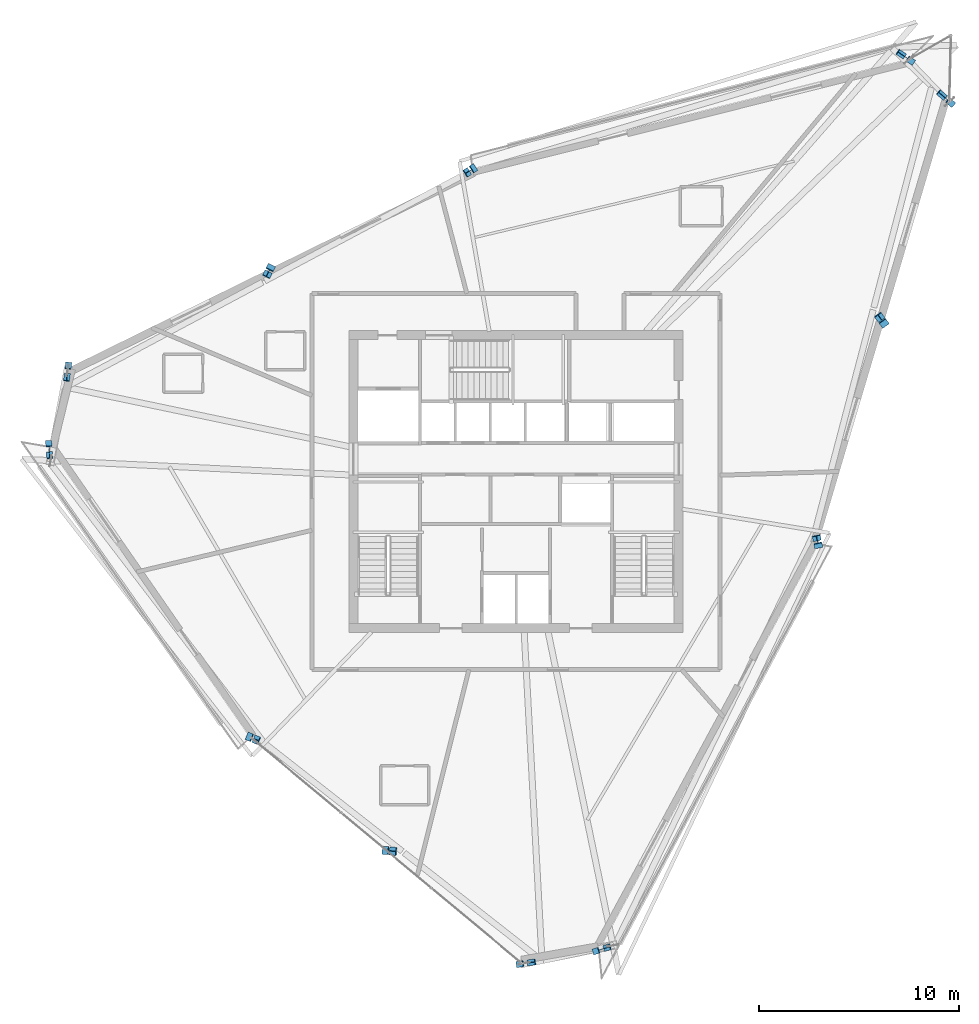
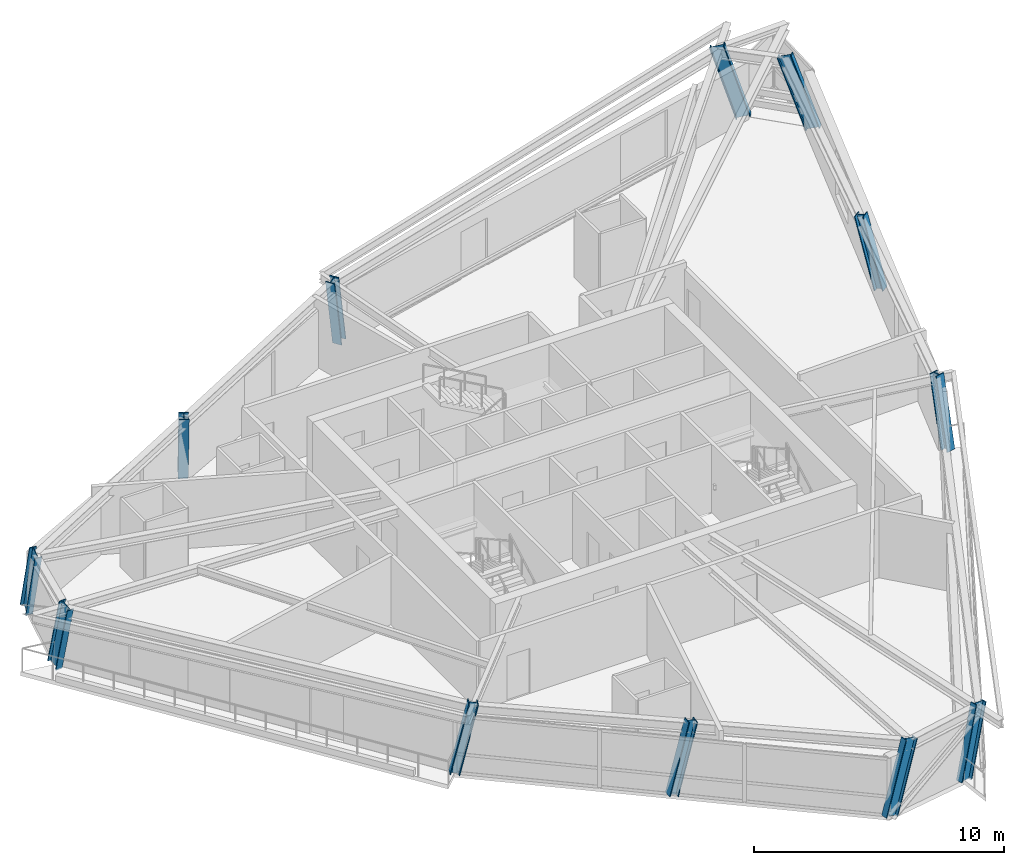
# One storey, part 1 of 14: 12 columns.
"""IFC4 building model written with IfcOpenShell, lengths in metres."""

from ifc_helpers import new_model, si_unit, direction, frame, origin, origin_2d, place, context, subcontext, project, spatial, i_section, extrude, source, transform, mapped, material, material_profile, profile_set, type_object, element, save


model = new_model("IFC4")

# Units and contexts
model_context = context("Model", 3, precision=1e-05, world=origin(), true_north=direction((0.0, 1.0)))
body_context = subcontext(model_context, "Body", "Model", "MODEL_VIEW")
ifc_project = project(units=[si_unit("LENGTHUNIT", "METRE"), si_unit("AREAUNIT", "SQUARE_METRE"), si_unit("VOLUMEUNIT", "CUBIC_METRE"), si_unit("PLANEANGLEUNIT", "RADIAN"), si_unit("MASSUNIT", "GRAM", prefix="KILO")], contexts=[model_context])

# Site, building, storey
site_placement = place(None, origin())
site = spatial("IfcSite", under=ifc_project, at=site_placement, CompositionType="ELEMENT")
building_placement = place(site_placement, origin())
building = spatial("IfcBuilding", under=site, at=building_placement, Name="Olszyna Solenne Hotel", CompositionType="ELEMENT")
storey_placement = place(building_placement, frame((0.0, 0.0, 220.25)))
storey = spatial("IfcBuildingStorey", under=building, at=storey_placement, Name="L58", CompositionType="ELEMENT", Elevation=220.25)

# Columns
ifc_material = material(Name="Steel S460M", Category="steel")
ifc_material_profile_1 = material_profile(ifc_material, i_section(OverallWidth=0.304931640625, OverallDepth=0.6201171875, WebThickness=0.02099609375, FlangeThickness=0.0400390625, at=origin_2d()), Name="HEM 600", Category="load-bearing")
ifc_profile_set_1 = profile_set([ifc_material_profile_1], Name="Steel S460M")
column_type_1 = type_object("IfcColumnType", Name="COL-K3", PredefinedType="COLUMN", material=ifc_profile_set_1)
shared_shape_1 = source(origin(), body_context, "Body", "SweptSolid", [
    extrude(i_section(OverallWidth=0.304931640625, OverallDepth=0.6201171875, WebThickness=0.02099609375, FlangeThickness=0.0400390625, at=origin_2d()), origin(), (0.0, 0.0, 1.0), 3.578857421875),
])
column_1_placement = place(storey_placement, frame((59.65576171875, 45.597900390625, 0.0), z_axis=(-0.245246591305, 0.2126380042, 0.94585368246), x_axis=(-0.65509054937, -0.755550376961, 0.0)))
element("IfcColumn", 1, at=column_1_placement, inside=storey, type_object=column_type_1, Name="Perimeter framed-tube column COL-K3 C-L58-01", PredefinedType="COLUMN", context=body_context, shape_type="MappedRepresentation", body=[
    mapped(shared_shape_1, transform((0.0, 0.0, 0.0), x_axis=(1.0, 0.0, 0.0), y_axis=(0.0, 1.0, 0.0), z_axis=(0.0, 0.0, 1.0), scale=1.0)),
])
shared_shape_2 = source(origin(), body_context, "Body", "SweptSolid", [
    extrude(i_section(OverallWidth=0.304931640625, OverallDepth=0.6201171875, WebThickness=0.02099609375, FlangeThickness=0.0400390625, at=origin_2d()), origin(), (0.0, 0.0, 1.0), 3.547607421875),
])
column_2_placement = place(storey_placement, frame((57.64111328125, 47.69482421875, 0.0), z_axis=(-0.246375224897, 0.169778681514, 0.954187847261), x_axis=(-0.567426549776, -0.823424016294, 0.0)))
element("IfcColumn", 2, at=column_2_placement, inside=storey, type_object=column_type_1, Name="Perimeter framed-tube column COL-K3 C-L58-02", PredefinedType="COLUMN", context=body_context, shape_type="MappedRepresentation", body=[
    mapped(shared_shape_2, transform((0.0, 0.0, 0.0), x_axis=(1.0, 0.0, 0.0), y_axis=(0.0, 1.0, 0.0), z_axis=(0.0, 0.0, 1.0), scale=1.0)),
])
ifc_material_profile_2 = material_profile(ifc_material, i_section(OverallWidth=0.406005859375, OverallDepth=0.416015625, WebThickness=0.026611328125, FlangeThickness=0.04150390625, at=origin_2d()), Name="HD 400x382", Category="load-bearing")
ifc_profile_set_2 = profile_set([ifc_material_profile_2], Name="Steel S460M")
column_type_2 = type_object("IfcColumnType", Name="COL-T4", PredefinedType="COLUMN", material=ifc_profile_set_2)
shared_shape_3 = source(origin(), body_context, "Body", "SweptSolid", [
    extrude(i_section(OverallWidth=0.406005859375, OverallDepth=0.416015625, WebThickness=0.026611328125, FlangeThickness=0.04150390625, at=origin_2d()), origin(), (0.0, 0.0, 1.0), 3.44287109375),
])
column_3_placement = place(storey_placement, frame((35.806884765625, 42.21630859375, 0.0), z_axis=(-0.152464136085, -0.100200848506, 0.983216393866), x_axis=(0.549216666266, -0.835679994672, 0.0)))
element("IfcColumn", 3, at=column_3_placement, inside=storey, type_object=column_type_2, Name="Perimeter framed-tube column COL-T4 C-L58-03", PredefinedType="COLUMN", context=body_context, shape_type="MappedRepresentation", body=[
    mapped(shared_shape_3, transform((0.0, 0.0, 0.0), x_axis=(1.0, 0.0, 0.0), y_axis=(0.0, 1.0, 0.0), z_axis=(0.0, 0.0, 1.0), scale=1.0)),
])
shared_shape_4 = source(origin(), body_context, "Body", "SweptSolid", [
    extrude(i_section(OverallWidth=0.406005859375, OverallDepth=0.416015625, WebThickness=0.026611328125, FlangeThickness=0.04150390625, at=origin_2d()), origin(), (0.0, 0.0, 1.0), 3.461181640625),
])
column_4_placement = place(storey_placement, frame((25.709716796875, 37.2431640625, 0.0), z_axis=(-0.093250881233, -0.186572300198, 0.978005649241), x_axis=(0.89449481743, -0.447078317067, 0.0)))
element("IfcColumn", 4, at=column_4_placement, inside=storey, type_object=column_type_2, Name="Perimeter framed-tube column COL-T4 C-L58-04", PredefinedType="COLUMN", context=body_context, shape_type="MappedRepresentation", body=[
    mapped(shared_shape_4, transform((0.0, 0.0, 0.0), x_axis=(1.0, 0.0, 0.0), y_axis=(0.0, 1.0, 0.0), z_axis=(0.0, 0.0, 1.0), scale=1.0)),
])
shared_shape_5 = source(origin(), body_context, "Body", "SweptSolid", [
    extrude(i_section(OverallWidth=0.304931640625, OverallDepth=0.6201171875, WebThickness=0.02099609375, FlangeThickness=0.0400390625, at=origin_2d()), origin(), (0.0, 0.0, 1.0), 3.516845703125),
])
column_5_placement = place(storey_placement, frame((15.6123046875, 32.27001953125, 0.0), z_axis=(-0.034293514834, -0.269072193314, 0.962509277683), x_axis=(0.991975750475, -0.126428281923, 0.0)))
element("IfcColumn", 5, at=column_5_placement, inside=storey, type_object=column_type_1, Name="Perimeter framed-tube column COL-K3 C-L58-05", PredefinedType="COLUMN", context=body_context, shape_type="MappedRepresentation", body=[
    mapped(shared_shape_5, transform((0.0, 0.0, 0.0), x_axis=(1.0, 0.0, 0.0), y_axis=(0.0, 1.0, 0.0), z_axis=(0.0, 0.0, 1.0), scale=1.0)),
])
shared_shape_6 = source(origin(), body_context, "Body", "SweptSolid", [
    extrude(i_section(OverallWidth=0.304931640625, OverallDepth=0.6201171875, WebThickness=0.02099609375, FlangeThickness=0.0400390625, at=origin_2d()), origin(), (0.0, 0.0, 1.0), 3.484375),
])
column_6_placement = place(storey_placement, frame((14.657958984375, 28.3544921875, 0.0), z_axis=(0.017867277816, -0.236408609218, 0.971489438888), x_axis=(0.997156164078, 0.075363017736, 0.0)))
element("IfcColumn", 6, at=column_6_placement, inside=storey, type_object=column_type_1, Name="Perimeter framed-tube column COL-K3 C-L58-06", PredefinedType="COLUMN", context=body_context, shape_type="MappedRepresentation", body=[
    mapped(shared_shape_6, transform((0.0, 0.0, 0.0), x_axis=(1.0, 0.0, 0.0), y_axis=(0.0, 1.0, 0.0), z_axis=(0.0, 0.0, 1.0), scale=1.0)),
])
shared_shape_7 = source(origin(), body_context, "Body", "SweptSolid", [
    extrude(i_section(OverallWidth=0.406005859375, OverallDepth=0.416015625, WebThickness=0.026611328125, FlangeThickness=0.04150390625, at=origin_2d()), origin(), (0.0, 0.0, 1.0), 3.46923828125),
])
column_7_placement = place(storey_placement, frame((24.7255859375, 13.8232421875, 0.0), z_axis=(0.201474528412, -0.086064739172, 0.975705321843), x_axis=(0.392833572911, 0.919609582374, 0.0)))
element("IfcColumn", 7, at=column_7_placement, inside=storey, type_object=column_type_2, Name="Perimeter framed-tube column COL-T4 C-L58-07", PredefinedType="COLUMN", context=body_context, shape_type="MappedRepresentation", body=[
    mapped(shared_shape_7, transform((0.0, 0.0, 0.0), x_axis=(1.0, 0.0, 0.0), y_axis=(0.0, 1.0, 0.0), z_axis=(0.0, 0.0, 1.0), scale=1.0)),
])
shared_shape_8 = source(origin(), body_context, "Body", "SweptSolid", [
    extrude(i_section(OverallWidth=0.406005859375, OverallDepth=0.416015625, WebThickness=0.026611328125, FlangeThickness=0.04150390625, at=origin_2d()), origin(), (0.0, 0.0, 1.0), 3.489990234375),
])
column_8_placement = place(storey_placement, frame((31.515380859375, 8.163818359375, 0.0), z_axis=(0.242527231029, -0.021825352201, 0.96989906496), x_axis=(0.089629150551, 0.995975208211, 0.0)))
element("IfcColumn", 8, at=column_8_placement, inside=storey, type_object=column_type_2, Name="Perimeter framed-tube column COL-T4 C-L58-08", PredefinedType="COLUMN", context=body_context, shape_type="MappedRepresentation", body=[
    mapped(shared_shape_8, transform((0.0, 0.0, 0.0), x_axis=(1.0, 0.0, 0.0), y_axis=(0.0, 1.0, 0.0), z_axis=(0.0, 0.0, 1.0), scale=1.0)),
])
shared_shape_9 = source(origin(), body_context, "Body", "SweptSolid", [
    extrude(i_section(OverallWidth=0.304931640625, OverallDepth=0.6201171875, WebThickness=0.02099609375, FlangeThickness=0.0400390625, at=origin_2d()), origin(), (0.0, 0.0, 1.0), 3.531005859375),
])
column_9_placement = place(storey_placement, frame((38.304931640625, 2.50439453125, 0.0), z_axis=(0.281608973273, 0.041484258277, 0.95863206836), x_axis=(-0.145738734977, 0.989323112601, 0.0)))
element("IfcColumn", 9, at=column_9_placement, inside=storey, type_object=column_type_1, Name="Perimeter framed-tube column COL-K3 C-L58-09", PredefinedType="COLUMN", context=body_context, shape_type="MappedRepresentation", body=[
    mapped(shared_shape_9, transform((0.0, 0.0, 0.0), x_axis=(1.0, 0.0, 0.0), y_axis=(0.0, 1.0, 0.0), z_axis=(0.0, 0.0, 1.0), scale=1.0)),
])
shared_shape_10 = source(origin(), body_context, "Body", "SweptSolid", [
    extrude(i_section(OverallWidth=0.304931640625, OverallDepth=0.6201171875, WebThickness=0.02099609375, FlangeThickness=0.0400390625, at=origin_2d()), origin(), (0.0, 0.0, 1.0), 3.49169921875),
])
column_10_placement = place(storey_placement, frame((42.1279296875, 3.178466796875, 0.0), z_axis=(0.23360959757, 0.0745369144, 0.969469341607), x_axis=(-0.303968592861, 0.952682053234, 0.0)))
element("IfcColumn", 10, at=column_10_placement, inside=storey, type_object=column_type_1, Name="Perimeter framed-tube column COL-K3 C-L58-10", PredefinedType="COLUMN", context=body_context, shape_type="MappedRepresentation", body=[
    mapped(shared_shape_10, transform((0.0, 0.0, 0.0), x_axis=(1.0, 0.0, 0.0), y_axis=(0.0, 1.0, 0.0), z_axis=(0.0, 0.0, 1.0), scale=1.0)),
])
shared_shape_11 = source(origin(), body_context, "Body", "SweptSolid", [
    extrude(i_section(OverallWidth=0.406005859375, OverallDepth=0.416015625, WebThickness=0.026611328125, FlangeThickness=0.04150390625, at=origin_2d()), origin(), (0.0, 0.0, 1.0), 3.44921875),
])
column_11_placement = place(storey_placement, frame((53.091064453125, 23.4794921875, 0.0), z_axis=(-0.040486089734, 0.187849793974, 0.981362996776), x_axis=(-0.97755377895, -0.210686044295, 0.0)))
element("IfcColumn", 11, at=column_11_placement, inside=storey, type_object=column_type_2, Name="Perimeter framed-tube column COL-T4 C-L58-11", PredefinedType="COLUMN", context=body_context, shape_type="MappedRepresentation", body=[
    mapped(shared_shape_11, transform((0.0, 0.0, 0.0), x_axis=(1.0, 0.0, 0.0), y_axis=(0.0, 1.0, 0.0), z_axis=(0.0, 0.0, 1.0), scale=1.0)),
])
shared_shape_12 = source(origin(), body_context, "Body", "SweptSolid", [
    extrude(i_section(OverallWidth=0.406005859375, OverallDepth=0.416015625, WebThickness=0.026611328125, FlangeThickness=0.04150390625, at=origin_2d()), origin(), (0.0, 0.0, 1.0), 3.49462890625),
])
column_12_placement = place(storey_placement, frame((56.373291015625, 34.538818359375, 0.0), z_axis=(-0.145518406884, 0.201546137235, 0.968609078949), x_axis=(-0.810760735257, -0.585377681643, 0.0)))
element("IfcColumn", 12, at=column_12_placement, inside=storey, type_object=column_type_2, Name="Perimeter framed-tube column COL-T4 C-L58-12", PredefinedType="COLUMN", context=body_context, shape_type="MappedRepresentation", body=[
    mapped(shared_shape_12, transform((0.0, 0.0, 0.0), x_axis=(1.0, 0.0, 0.0), y_axis=(0.0, 1.0, 0.0), z_axis=(0.0, 0.0, 1.0), scale=1.0)),
])

save(model, "model.ifc")
